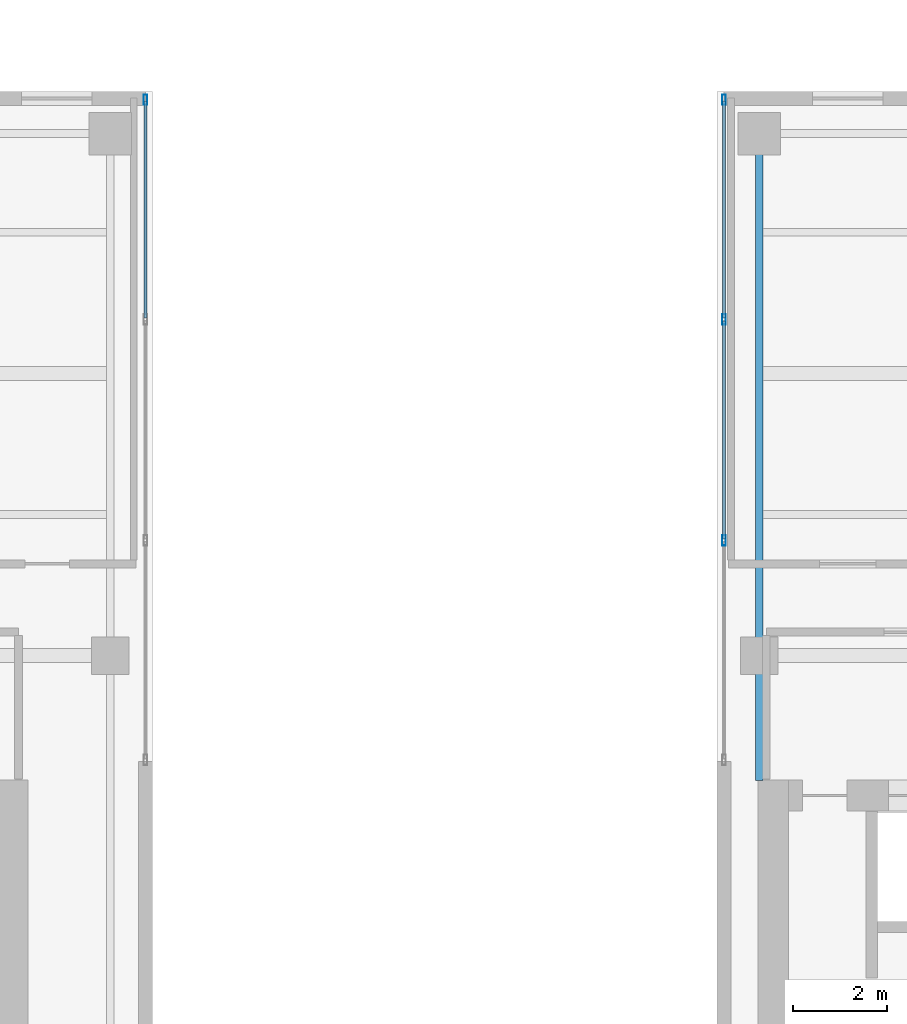
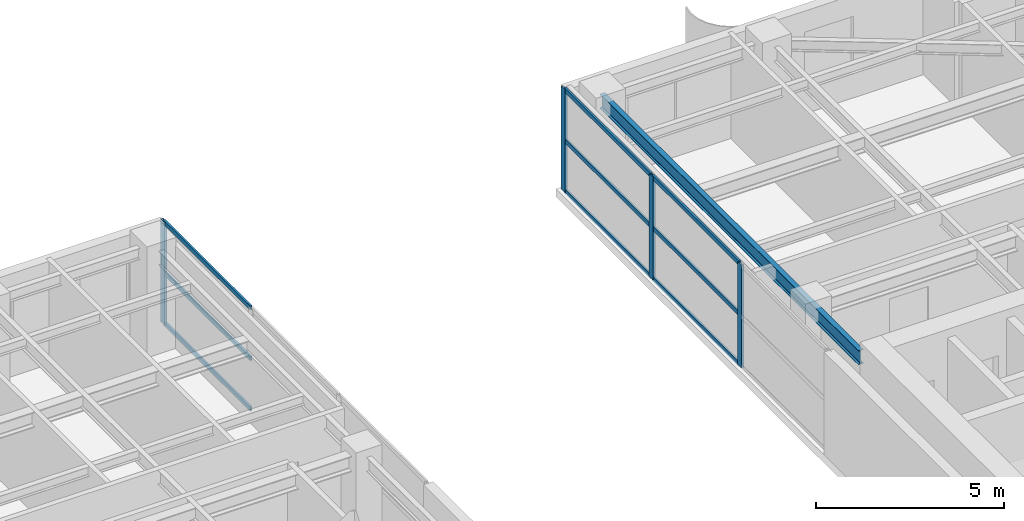
# One storey, part 14 of 22: 13 members, 1 beam, 2 elements without a shape of their own.
"""IFC4 building model written with IfcOpenShell, lengths in metres."""

from ifc_helpers import new_model, si_unit, direction, frame, origin, origin_2d, place, context, subcontext, project, spatial, hollow_rectangle, i_section, extrude, source, transform, mapped, material, layer, layer_set, material_profile, profile_set, type_object, element, aggregate, save


model = new_model("IFC4")

# Units and contexts
model_context = context("Model", 3, precision=1e-05, world=origin(), true_north=direction((0.0, 1.0)))
body_context = subcontext(model_context, "Body", "Model", "MODEL_VIEW")
ifc_project = project(units=[si_unit("LENGTHUNIT", "METRE"), si_unit("AREAUNIT", "SQUARE_METRE"), si_unit("VOLUMEUNIT", "CUBIC_METRE"), si_unit("PLANEANGLEUNIT", "RADIAN"), si_unit("MASSUNIT", "GRAM", prefix="KILO")], contexts=[model_context])

# Site, building, storey
site_placement = place(None, origin())
site = spatial("IfcSite", under=ifc_project, at=site_placement, CompositionType="ELEMENT")
building_placement = place(site_placement, origin())
building = spatial("IfcBuilding", under=site, at=building_placement, Name="Khoralis Quay Care Tower", CompositionType="ELEMENT")
storey_placement = place(building_placement, frame((0.0, 0.0, 202.5)))
storey = spatial("IfcBuildingStorey", under=building, at=storey_placement, Name="L53", CompositionType="ELEMENT", Elevation=202.5)

# Beam
ifc_material_1 = material(Name="Steel S355", Category="steel")
ifc_material_profile_1 = material_profile(ifc_material_1, i_section(OverallWidth=0.154052734375, OverallDepth=0.458984375, WebThickness=0.009033203125, FlangeThickness=0.015380859375, FilletRadius=0.014892578125, at=origin_2d()), Name="Steel S355")
ifc_profile_set_1 = profile_set([ifc_material_profile_1], Name="Steel S355")
beam_type = type_object("IfcBeamType", Name="BM-W460X68", PredefinedType="BEAM", material=ifc_profile_set_1)
shared_shape_1 = source(origin(), body_context, "Body", "SweptSolid", [
    extrude(i_section(OverallWidth=0.154052734375, OverallDepth=0.458984375, WebThickness=0.009033203125, FlangeThickness=0.015380859375, FilletRadius=0.014892578125, at=origin_2d()), origin(), (0.0, 0.0, 1.0), 13.752197265625),
])
beam_placement = place(storey_placement, frame((30.89990234375, 27.347900390625, 3.110595703125), z_axis=(0.0, 1.0, 0.0), x_axis=(-1.0, 0.0, 0.0)))
element("IfcBeam", 1, at=beam_placement, inside=storey, type_object=beam_type, Name="BM-TGYN-L53-309", PredefinedType="BEAM", context=body_context, shape_type="MappedRepresentation", body=[
    mapped(shared_shape_1, transform((0.0, 0.0, 0.0), scale=1.0)),
])

# Curtain wall, member
ifc_material_2 = material(Name="Pale anodised aluminium", Category="aluminium")
ifc_layer = layer(ifc_material_2, 0.18994140625)
ifc_layer_set = layer_set([ifc_layer], Name="Pale anodised aluminium")
curtain_wall_type = type_object("IfcCurtainWallType", Name="CW-SYS-PORTAL", PredefinedType="NOTDEFINED", material=ifc_layer_set)
curtain_wall_1_placement = place(storey_placement, origin())
curtain_wall_1 = element("IfcCurtainWall", 2, at=curtain_wall_1_placement, inside=storey, type_object=curtain_wall_type, Name="L53 Unitised Curtain Wall CW-VP-L53-P1-N", PredefinedType="NOTDEFINED")
ifc_material_profile_2 = material_profile(ifc_material_2, hollow_rectangle(XDim=0.074951171875, YDim=0.219970703125, WallThickness=0.00390625, at=origin_2d()), Name="Pale anodised aluminium")
ifc_profile_set_2 = profile_set([ifc_material_profile_2], Name="Pale anodised aluminium")
member_type_1 = type_object("IfcMemberType", Name="CW-MUL-220", PredefinedType="MULLION", material=ifc_profile_set_2)
shared_shape_2 = source(origin(), body_context, "Body", "SweptSolid", [
    extrude(hollow_rectangle(XDim=0.074951171875, YDim=0.219970703125, WallThickness=0.00390625, at=origin_2d()), origin(), (0.0, 0.0, 1.0), 3.340087890625),
])
member_1_placement = place(storey_placement, frame((17.85009765625, 41.820068359375, 0.0), z_axis=(0.0, 0.0, 1.0), x_axis=(-1.0, 0.0, 0.0)))
member_1 = element("IfcMember", 3, at=member_1_placement, type_object=member_type_1, Name="CW4 mullion 4", PredefinedType="MULLION", context=body_context, shape_type="MappedRepresentation", body=[
    mapped(shared_shape_2, transform((0.0, 0.0, 0.0), scale=1.0)),
])

# Curtain wall, members
curtain_wall_2_placement = place(storey_placement, origin())
curtain_wall_2 = element("IfcCurtainWall", 4, at=curtain_wall_2_placement, inside=storey, type_object=curtain_wall_type, Name="L53 Unitised Curtain Wall CW-VP-L53-P2-N", PredefinedType="NOTDEFINED")
member_2_placement = place(storey_placement, frame((30.14990234375, 32.449951171875, 0.0), z_axis=(0.0, 0.0, 1.0), x_axis=(-1.0, 0.0, 0.0)))
member_2 = element("IfcMember", 5, at=member_2_placement, type_object=member_type_1, Name="CW4 mullion 2", PredefinedType="MULLION", context=body_context, shape_type="MappedRepresentation", body=[
    mapped(shared_shape_2, transform((0.0, 0.0, 0.0), scale=1.0)),
])
member_3_placement = place(storey_placement, frame((30.14990234375, 37.14990234375, 0.0), z_axis=(0.0, 0.0, 1.0), x_axis=(-1.0, 0.0, 0.0)))
member_3 = element("IfcMember", 6, at=member_3_placement, type_object=member_type_1, Name="CW4 mullion 3", PredefinedType="MULLION", context=body_context, shape_type="MappedRepresentation", body=[
    mapped(shared_shape_2, transform((0.0, 0.0, 0.0), scale=1.0)),
])
member_4_placement = place(storey_placement, frame((30.14990234375, 41.820068359375, 0.0), z_axis=(0.0, 0.0, 1.0), x_axis=(-1.0, 0.0, 0.0)))
member_4 = element("IfcMember", 7, at=member_4_placement, type_object=member_type_1, Name="CW4 mullion 4", PredefinedType="MULLION", context=body_context, shape_type="MappedRepresentation", body=[
    mapped(shared_shape_2, transform((0.0, 0.0, 0.0), scale=1.0)),
])

# Member
ifc_material_profile_3 = material_profile(ifc_material_2, hollow_rectangle(XDim=0.06005859375, YDim=0.139892578125, WallThickness=0.00390625, at=origin_2d()), Name="Pale anodised aluminium")
ifc_profile_set_3 = profile_set([ifc_material_profile_3], Name="Pale anodised aluminium")
member_type_2 = type_object("IfcMemberType", Name="CW-TRN-140", PredefinedType="USERDEFINED", material=ifc_profile_set_3)
shared_shape_3 = source(origin(), body_context, "Body", "SweptSolid", [
    extrude(hollow_rectangle(XDim=0.06005859375, YDim=0.139892578125, WallThickness=0.00390625, at=origin_2d()), origin(), (0.0, 0.0, 1.0), 4.610107421875),
])
member_5_placement = place(storey_placement, frame((17.85009765625, 37.179931640625, 0.030029296875), z_axis=(0.0, 1.0, 0.0), x_axis=(-1.0, 0.0, 0.0)))
member_5 = element("IfcMember", 8, at=member_5_placement, type_object=member_type_2, Name="CW4 transom 3.1", ObjectType="TRANSOM", PredefinedType="USERDEFINED", context=body_context, shape_type="MappedRepresentation", body=[
    mapped(shared_shape_3, transform((0.0, 0.0, 0.0), scale=1.0)),
])

member_6_placement = place(storey_placement, frame((17.85009765625, 37.179931640625, 1.669921875), z_axis=(0.0, 1.0, 0.0), x_axis=(-1.0, 0.0, 0.0)))
member_6 = element("IfcMember", 9, at=member_6_placement, type_object=member_type_2, Name="CW4 transom 3.2", ObjectType="TRANSOM", PredefinedType="USERDEFINED", context=body_context, shape_type="MappedRepresentation", body=[
    mapped(shared_shape_3, transform((0.0, 0.0, 0.0), scale=1.0)),
])

member_7_placement = place(storey_placement, frame((17.85009765625, 37.179931640625, 3.31005859375), z_axis=(0.0, 1.0, 0.0), x_axis=(-1.0, 0.0, 0.0)))
member_7 = element("IfcMember", 10, at=member_7_placement, type_object=member_type_2, Name="CW4 transom 3.3", ObjectType="TRANSOM", PredefinedType="USERDEFINED", context=body_context, shape_type="MappedRepresentation", body=[
    mapped(shared_shape_3, transform((0.0, 0.0, 0.0), scale=1.0)),
])

aggregate(curtain_wall_1, [member_1, member_5, member_6, member_7])

member_8_placement = place(storey_placement, frame((30.14990234375, 37.179931640625, 0.030029296875), z_axis=(0.0, 1.0, 0.0), x_axis=(-1.0, 0.0, 0.0)))
member_8 = element("IfcMember", 11, at=member_8_placement, type_object=member_type_2, Name="CW4 transom 3.1", ObjectType="TRANSOM", PredefinedType="USERDEFINED", context=body_context, shape_type="MappedRepresentation", body=[
    mapped(shared_shape_3, transform((0.0, 0.0, 0.0), scale=1.0)),
])

member_9_placement = place(storey_placement, frame((30.14990234375, 37.179931640625, 1.669921875), z_axis=(0.0, 1.0, 0.0), x_axis=(-1.0, 0.0, 0.0)))
member_9 = element("IfcMember", 12, at=member_9_placement, type_object=member_type_2, Name="CW4 transom 3.2", ObjectType="TRANSOM", PredefinedType="USERDEFINED", context=body_context, shape_type="MappedRepresentation", body=[
    mapped(shared_shape_3, transform((0.0, 0.0, 0.0), scale=1.0)),
])

member_10_placement = place(storey_placement, frame((30.14990234375, 37.179931640625, 3.31005859375), z_axis=(0.0, 1.0, 0.0), x_axis=(-1.0, 0.0, 0.0)))
member_10 = element("IfcMember", 13, at=member_10_placement, type_object=member_type_2, Name="CW4 transom 3.3", ObjectType="TRANSOM", PredefinedType="USERDEFINED", context=body_context, shape_type="MappedRepresentation", body=[
    mapped(shared_shape_3, transform((0.0, 0.0, 0.0), scale=1.0)),
])

shared_shape_4 = source(origin(), body_context, "Body", "SweptSolid", [
    extrude(hollow_rectangle(XDim=0.06005859375, YDim=0.139892578125, WallThickness=0.00390625, at=origin_2d()), origin(), (0.0, 0.0, 1.0), 4.64013671875),
])
member_11_placement = place(storey_placement, frame((30.14990234375, 32.47998046875, 0.030029296875), z_axis=(0.0, 1.0, 0.0), x_axis=(-1.0, 0.0, 0.0)))
member_11 = element("IfcMember", 14, at=member_11_placement, type_object=member_type_2, Name="CW4 transom 2.1", ObjectType="TRANSOM", PredefinedType="USERDEFINED", context=body_context, shape_type="MappedRepresentation", body=[
    mapped(shared_shape_4, transform((0.0, 0.0, 0.0), scale=1.0)),
])

member_12_placement = place(storey_placement, frame((30.14990234375, 32.47998046875, 1.669921875), z_axis=(0.0, 1.0, 0.0), x_axis=(-1.0, 0.0, 0.0)))
member_12 = element("IfcMember", 15, at=member_12_placement, type_object=member_type_2, Name="CW4 transom 2.2", ObjectType="TRANSOM", PredefinedType="USERDEFINED", context=body_context, shape_type="MappedRepresentation", body=[
    mapped(shared_shape_4, transform((0.0, 0.0, 0.0), scale=1.0)),
])

member_13_placement = place(storey_placement, frame((30.14990234375, 32.47998046875, 3.31005859375), z_axis=(0.0, 1.0, 0.0), x_axis=(-1.0, 0.0, 0.0)))
member_13 = element("IfcMember", 16, at=member_13_placement, type_object=member_type_2, Name="CW4 transom 2.3", ObjectType="TRANSOM", PredefinedType="USERDEFINED", context=body_context, shape_type="MappedRepresentation", body=[
    mapped(shared_shape_4, transform((0.0, 0.0, 0.0), scale=1.0)),
])

aggregate(curtain_wall_2, [member_2, member_3, member_4, member_11, member_12, member_13, member_8, member_9, member_10])

save(model, "model.ifc")
